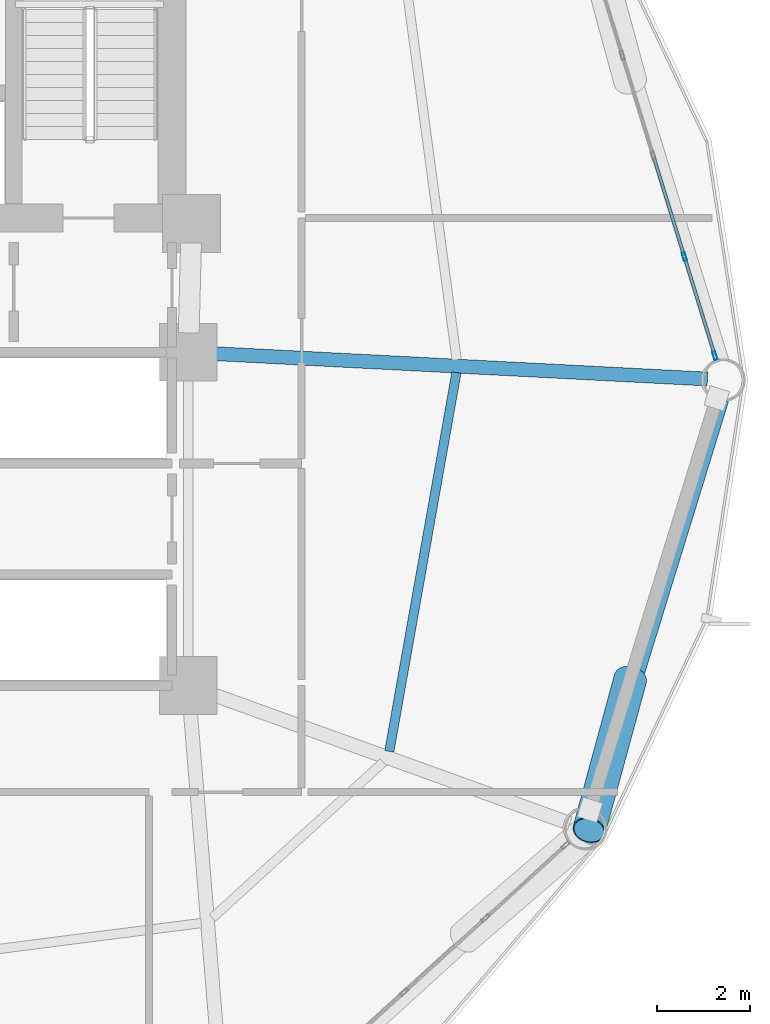
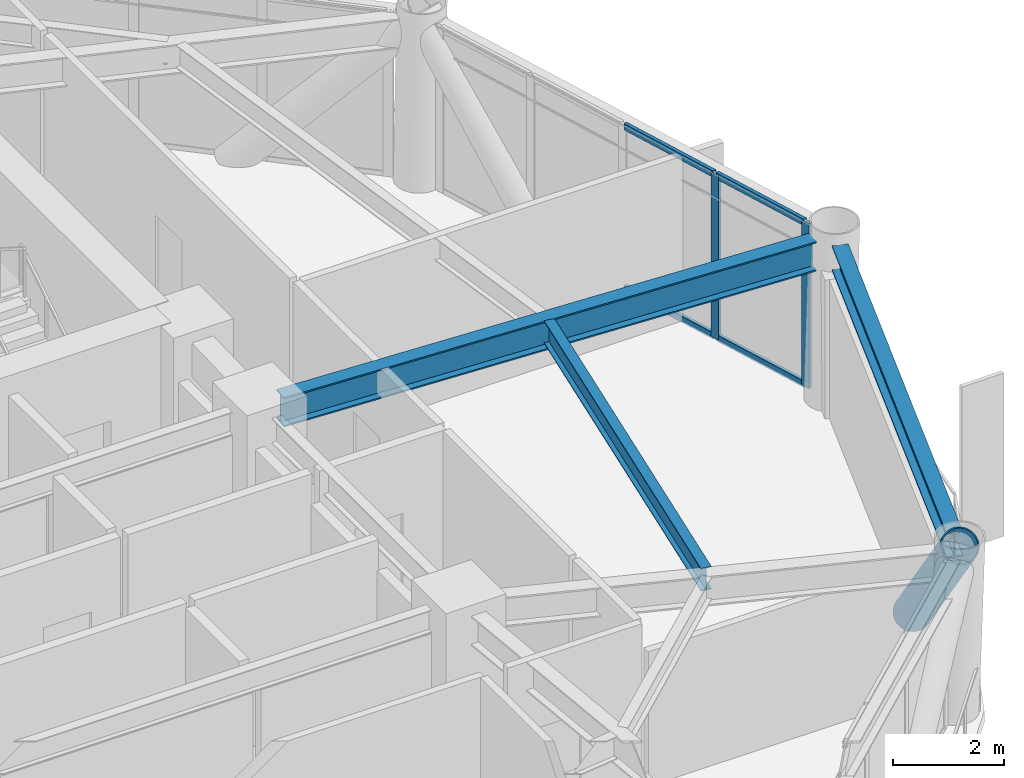
# One storey, part 13 of 25: 7 members, 3 beams, 1 element without a shape of its own.
"""IFC4 building model written with IfcOpenShell, lengths in metres."""

from ifc_helpers import new_model, si_unit, direction, frame, origin, origin_2d, place, context, subcontext, project, spatial, hollow_rectangle, hollow_circle, i_section, extrude, material, layer, layer_set, material_profile, profile_set, type_object, element, aggregate, save


model = new_model("IFC4")

# Units and contexts
model_context = context("Model", 3, precision=1e-05, world=origin(), true_north=direction((0.0, 1.0)))
body_context = subcontext(model_context, "Body", "Model", "MODEL_VIEW")
ifc_project = project(units=[si_unit("LENGTHUNIT", "METRE"), si_unit("AREAUNIT", "SQUARE_METRE"), si_unit("VOLUMEUNIT", "CUBIC_METRE"), si_unit("PLANEANGLEUNIT", "RADIAN"), si_unit("MASSUNIT", "GRAM", prefix="KILO")], contexts=[model_context])

# Site, building, storey
site_placement = place(None, origin())
site = spatial("IfcSite", under=ifc_project, at=site_placement, CompositionType="ELEMENT")
building_placement = place(site_placement, origin())
building = spatial("IfcBuilding", under=site, at=building_placement, Name="Varnakorn Sky Granary", CompositionType="ELEMENT")
storey_placement = place(building_placement, frame((0.0, 0.0, 58.800048828125)))
storey = spatial("IfcBuildingStorey", under=building, at=storey_placement, Name="L14", CompositionType="ELEMENT", Elevation=58.800048828125)

# Beams
ifc_material_1 = material(Name="Steel S355JR", Category="steel")
ifc_material_profile_1 = material_profile(ifc_material_1, i_section(OverallWidth=0.300048828125, OverallDepth=0.64990234375, WebThickness=0.01611328125, FlangeThickness=0.031005859375, at=origin_2d()), Name="HE 650 B")
ifc_profile_set_1 = profile_set([ifc_material_profile_1], Name="Steel S355JR")
beam_type_1 = type_object("IfcBeamType", Name="BM-RAD-Z1", PredefinedType="BEAM", material=ifc_profile_set_1)
beam_1_placement = place(storey_placement, frame((8.769287109375, 0.578369140625, 3.31494140625), z_axis=(0.998677930115, -0.051404201206, 0.0), x_axis=(0.051404201206, 0.998677930115, 0.0)))
element("IfcBeam", 1, at=beam_1_placement, inside=storey, type_object=beam_type_1, Name="Radial Floor Girder RG01 L14", PredefinedType="BEAM", context=body_context, shape_type="SweptSolid", body=[
    extrude(i_section(OverallWidth=0.300048828125, OverallDepth=0.64990234375, WebThickness=0.01611328125, FlangeThickness=0.031005859375, at=origin_2d()), origin(), (0.0, 0.0, 1.0), 10.809814453125),
])
ifc_material_profile_2 = material_profile(ifc_material_1, i_section(OverallWidth=0.199951171875, OverallDepth=0.5, WebThickness=0.01025390625, FlangeThickness=0.01611328125, at=origin_2d()), Name="IPE 500")
ifc_profile_set_2 = profile_set([ifc_material_profile_2], Name="Steel S355JR")
beam_type_2 = type_object("IfcBeamType", Name="BM-SEC-Z1", PredefinedType="BEAM", material=ifc_profile_set_2)
beam_2_placement = place(storey_placement, frame((12.693115234375, -8.0205078125, 3.389892578125), z_axis=(0.174413758486, 0.984672453586, 0.0), x_axis=(-0.984672453586, 0.174413758486, 0.0)))
element("IfcBeam", 2, at=beam_2_placement, inside=storey, type_object=beam_type_2, Name="Secondary Floor Chord Beam MSB12 L14", PredefinedType="BEAM", context=body_context, shape_type="SweptSolid", body=[
    extrude(i_section(OverallWidth=0.199951171875, OverallDepth=0.5, WebThickness=0.01025390625, FlangeThickness=0.01611328125, at=origin_2d()), origin(), (0.0, 0.0, 1.0), 8.310546875),
])
ifc_material_profile_3 = material_profile(ifc_material_1, i_section(OverallWidth=0.300048828125, OverallDepth=0.550048828125, WebThickness=0.014892578125, FlangeThickness=0.029052734375, at=origin_2d()), Name="HE 550 B")
ifc_profile_set_3 = profile_set([ifc_material_profile_3], Name="Steel S355JR")
beam_type_3 = type_object("IfcBeamType", Name="BM-SPD-Z1", PredefinedType="SPANDREL", material=ifc_profile_set_3)
beam_3_placement = place(storey_placement, frame((17.137939453125, -9.301513671875, 3.364990234375), z_axis=(0.2946507866, 0.955604998917, 0.0), x_axis=(-0.955604998917, 0.2946507866, 0.0)))
element("IfcBeam", 3, at=beam_3_placement, inside=storey, type_object=beam_type_3, Name="Perimeter Spandrel Ring Beam RB12 L14", PredefinedType="SPANDREL", context=body_context, shape_type="SweptSolid", body=[
    extrude(i_section(OverallWidth=0.300048828125, OverallDepth=0.550048828125, WebThickness=0.014892578125, FlangeThickness=0.029052734375, at=origin_2d()), origin(), (0.0, 0.0, 1.0), 9.291748046875),
])

# Curtain wall, members
ifc_material_2 = material(Name="Anodised Bronze Aluminium Alloy 6063-T6", Category="aluminium")
ifc_layer = layer(ifc_material_2, 0.18994140625, Name="Anodised Bronze Aluminium Alloy 6063-T6")
ifc_layer_set = layer_set([ifc_layer], Name="Anodised Bronze Aluminium Alloy 6063-T6")
curtain_wall_type = type_object("IfcCurtainWallType", Name="CW-FRM-1", PredefinedType="USERDEFINED", material=ifc_layer_set)
curtain_wall_placement = place(storey_placement, origin())
curtain_wall = element("IfcCurtainWall", 4, at=curtain_wall_placement, inside=storey, type_object=curtain_wall_type, Name="Unitised Curtain Wall CW3 CW-L14-B01", ObjectType="CURTAIN WALL", PredefinedType="USERDEFINED")
ifc_material_profile_4 = material_profile(ifc_material_2, hollow_rectangle(XDim=0.070068359375, YDim=0.18505859375, WallThickness=0.00390625, at=origin_2d()), Name="ALU MULL 70x185")
ifc_profile_set_4 = profile_set([ifc_material_profile_4], Name="Anodised Bronze Aluminium Alloy 6063-T6")
member_type_1 = type_object("IfcMemberType", Name="CW-FRM-1-MULL", PredefinedType="MULLION", material=ifc_profile_set_4)
member_1_placement = place(storey_placement, frame((19.066162109375, 2.66650390625, 0.0), z_axis=(0.0, 0.0, 1.0), x_axis=(0.955650032155, 0.29450469613, 0.0)))
member_1 = element("IfcMember", 5, at=member_1_placement, type_object=member_type_1, Name="CW3 mullion 4", PredefinedType="MULLION", context=body_context, shape_type="SweptSolid", body=[
    extrude(hollow_rectangle(XDim=0.070068359375, YDim=0.18505859375, WallThickness=0.00390625, at=origin_2d()), origin(), (0.0, 0.0, 1.0), 3.639892578125),
])
member_2_placement = place(storey_placement, frame((19.725341796875, 0.527587890625, 0.0), z_axis=(0.0, 0.0, 1.0), x_axis=(0.955650032155, 0.29450469613, 0.0)))
member_2 = element("IfcMember", 6, at=member_2_placement, type_object=member_type_1, Name="CW3 mullion 5", PredefinedType="MULLION", context=body_context, shape_type="SweptSolid", body=[
    extrude(hollow_rectangle(XDim=0.070068359375, YDim=0.18505859375, WallThickness=0.00390625, at=origin_2d()), origin(), (0.0, 0.0, 1.0), 3.639892578125),
])
ifc_material_profile_5 = material_profile(ifc_material_2, hollow_rectangle(XDim=0.070068359375, YDim=0.139892578125, WallThickness=0.00341796875, at=origin_2d()), Name="ALU TRAN 70x140")
ifc_profile_set_5 = profile_set([ifc_material_profile_5], Name="Anodised Bronze Aluminium Alloy 6063-T6")
member_type_2 = type_object("IfcMemberType", Name="CW-FRM-1-TRAN", PredefinedType="USERDEFINED", material=ifc_profile_set_5)
member_3_placement = place(storey_placement, frame((18.4072265625, 4.805419921875, 0.034912109375), z_axis=(0.294436245013, -0.955671124196, 0.0), x_axis=(0.955671124196, 0.294436245013, 0.0)))
member_3 = element("IfcMember", 7, at=member_3_placement, type_object=member_type_2, Name="CW3 transom 3.1", ObjectType="TRANSOM", PredefinedType="USERDEFINED", context=body_context, shape_type="SweptSolid", body=[
    extrude(hollow_rectangle(XDim=0.070068359375, YDim=0.139892578125, WallThickness=0.00341796875, at=origin_2d()), origin(), (0.0, 0.0, 1.0), 2.203125),
])
member_4_placement = place(storey_placement, frame((18.4072265625, 4.805419921875, 3.60498046875), z_axis=(0.294436245013, -0.955671124196, 0.0), x_axis=(0.955671124196, 0.294436245013, 0.0)))
member_4 = element("IfcMember", 8, at=member_4_placement, type_object=member_type_2, Name="CW3 transom 3.2", ObjectType="TRANSOM", PredefinedType="USERDEFINED", context=body_context, shape_type="SweptSolid", body=[
    extrude(hollow_rectangle(XDim=0.070068359375, YDim=0.139892578125, WallThickness=0.00341796875, at=origin_2d()), origin(), (0.0, 0.0, 1.0), 2.203125),
])
member_5_placement = place(storey_placement, frame((19.07666015625, 2.633056640625, 0.034912109375), z_axis=(0.294457721915, -0.955664507034, 0.0), x_axis=(0.955664507034, 0.294457721915, 0.0)))
member_5 = element("IfcMember", 9, at=member_5_placement, type_object=member_type_2, Name="CW3 transom 4.1", ObjectType="TRANSOM", PredefinedType="USERDEFINED", context=body_context, shape_type="SweptSolid", body=[
    extrude(hollow_rectangle(XDim=0.070068359375, YDim=0.139892578125, WallThickness=0.00341796875, at=origin_2d()), origin(), (0.0, 0.0, 1.0), 2.168212890625),
])
member_6_placement = place(storey_placement, frame((19.07666015625, 2.633056640625, 3.60498046875), z_axis=(0.294457721915, -0.955664507034, 0.0), x_axis=(0.955664507034, 0.294457721915, 0.0)))
member_6 = element("IfcMember", 10, at=member_6_placement, type_object=member_type_2, Name="CW3 transom 4.2", ObjectType="TRANSOM", PredefinedType="USERDEFINED", context=body_context, shape_type="SweptSolid", body=[
    extrude(hollow_rectangle(XDim=0.070068359375, YDim=0.139892578125, WallThickness=0.00341796875, at=origin_2d()), origin(), (0.0, 0.0, 1.0), 2.168212890625),
])
aggregate(curtain_wall, [member_1, member_2, member_3, member_4, member_5, member_6])

# Member
ifc_material_3 = material(Name="Steel S460M", Category="steel")
ifc_material_profile_6 = material_profile(ifc_material_3, hollow_circle(Radius=0.35546875, WallThickness=0.02490234375, at=origin_2d()), Name="CHS 711x25")
ifc_profile_set_6 = profile_set([ifc_material_profile_6], Name="Steel S460M")
member_type_3 = type_object("IfcMemberType", Name="MB-DIAG-T0", PredefinedType="BRACE", material=ifc_profile_set_6)
member_7_placement = place(storey_placement, frame((17.899658203125, -6.45166015625, -0.130126953125), z_axis=(-0.175863570081, -0.645298465198, 0.743412332109), x_axis=(0.964811975904, -0.262940774991, 0.0)))
element("IfcMember", 11, at=member_7_placement, inside=storey, type_object=member_type_3, Name="Perimeter CHS Diagrid Brace DG12 L14", PredefinedType="BRACE", context=body_context, shape_type="SweptSolid", body=[
    extrude(hollow_circle(Radius=0.35546875, WallThickness=0.02490234375, at=origin_2d()), origin(), (0.0, 0.0, 1.0), 5.0712890625),
])

save(model, "model.ifc")
